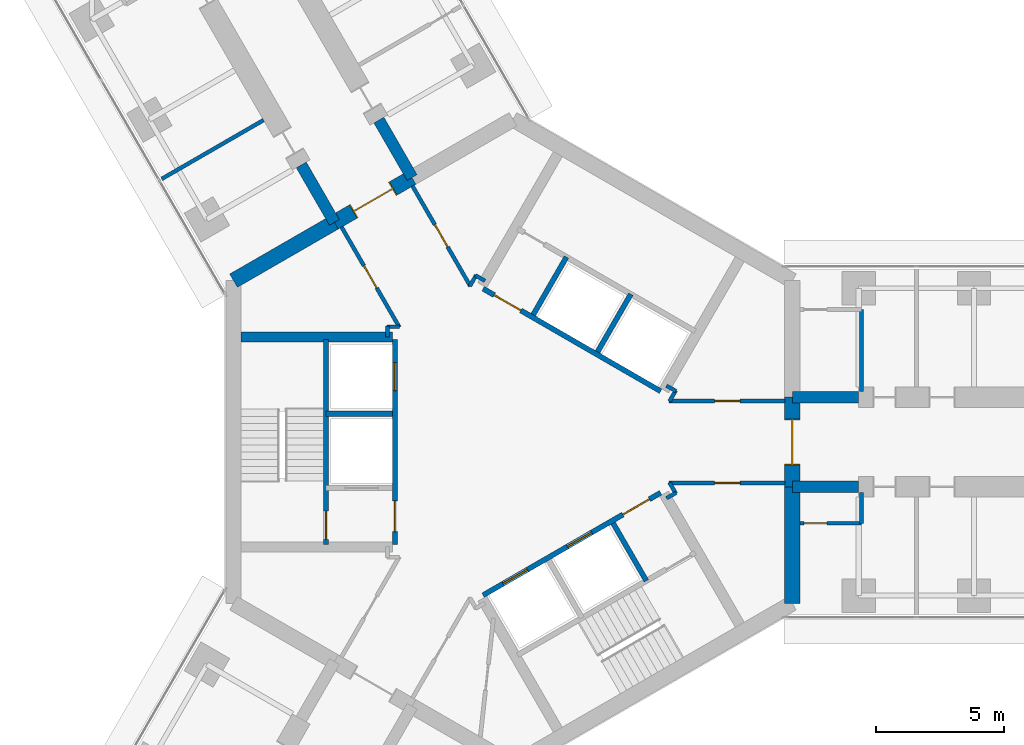
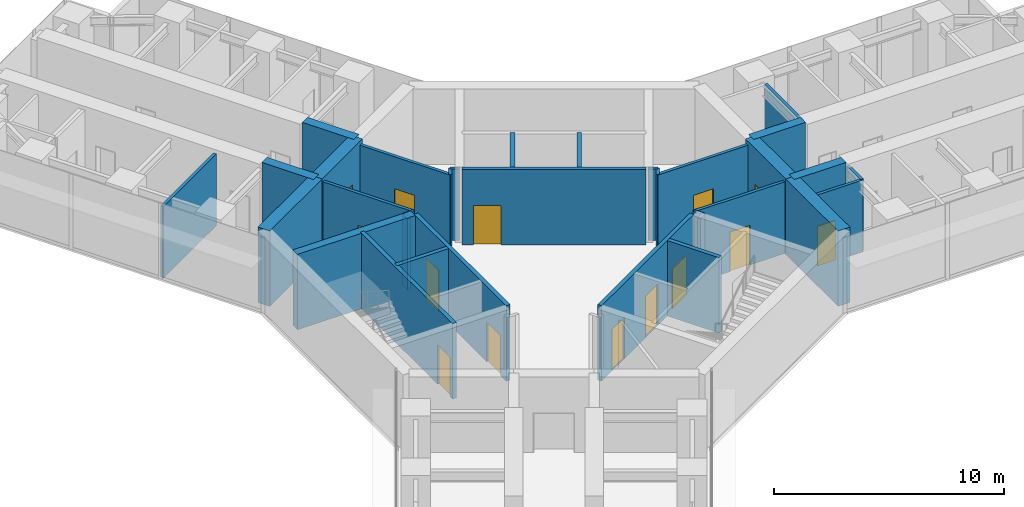
# One storey, part 16 of 22: 33 walls, 14 doors, 14 openings.
"""IFC4 building model written with IfcOpenShell, lengths in metres."""

from ifc_helpers import new_model, si_unit, direction, frame, frame_2d, origin, place, context, subcontext, project, spatial, rectangle, extrude, material, layer, layer_set, type_object, element, fill, save


model = new_model("IFC4")

# Units and contexts
model_context = context("Model", 3, precision=1e-05, world=origin(), true_north=direction((0.0, 1.0)))
body_context = subcontext(model_context, "Body", "Model", "MODEL_VIEW")
ifc_project = project(units=[si_unit("LENGTHUNIT", "METRE"), si_unit("AREAUNIT", "SQUARE_METRE"), si_unit("VOLUMEUNIT", "CUBIC_METRE"), si_unit("PLANEANGLEUNIT", "RADIAN"), si_unit("MASSUNIT", "GRAM", prefix="KILO")], contexts=[model_context])

# Site, building, storey
site_placement = place(None, origin())
site = spatial("IfcSite", under=ifc_project, at=site_placement, CompositionType="ELEMENT")
building_placement = place(site_placement, origin())
building = spatial("IfcBuilding", under=site, at=building_placement, Name="Upepo Twin Towers", CompositionType="ELEMENT")
storey_placement = place(building_placement, frame((0.0, 0.0, 121.5)))
storey = spatial("IfcBuildingStorey", under=building, at=storey_placement, Name="L29", CompositionType="ELEMENT", Elevation=121.5)

# Walls
ifc_material_1 = material(Name="Concrete C60/75", Category="concrete")
ifc_layer_1 = layer(ifc_material_1, 0.449951171875)
ifc_layer_set_1 = layer_set([ifc_layer_1], Name="Concrete C60/75")
wall_type_1 = type_object("IfcWallType", Name="Buttress wall 450 RC", PredefinedType="SHEAR", material=ifc_layer_set_1)
for number, where, z_axis, x_axis, name in (
    (1, (10.908447265625, 1.75, 0.0), (0.0, 0.0, 1.0), (1.0, 0.0, 0.0), "T1 wing A buttress wall L"),
    (2, (10.908447265625, -1.75, 0.0), (0.0, 0.0, 1.0), (1.0, 0.0, 0.0), "T1 wing A buttress wall R"),
):
    element("IfcWall", number, at=place(storey_placement, frame(where, z_axis=z_axis, x_axis=x_axis)), inside=storey, type_object=wall_type_1, Name=name, PredefinedType="SHEAR", context=body_context, shape_type="SweptSolid", body=[
        extrude(rectangle(XDim=2.591552734375, YDim=0.449951171875, at=frame_2d((1.2958984375, 0.0))), origin(), (0.0, 0.0, 1.0), 4.0),
    ])
for number, where, z_axis, x_axis, name in (
    (3, (-6.9697265625, 8.57177734375, 0.0), (0.0, 0.0, 1.0), (-0.499988811324, 0.866031863473, 0.0), "T1 wing B buttress wall L"),
    (4, (-3.938720703125, 10.32177734375, 0.0), (0.0, 0.0, 1.0), (-0.499918158782, 0.866072649678, 0.0), "T1 wing B buttress wall R"),
):
    element("IfcWall", number, at=place(storey_placement, frame(where, z_axis=z_axis, x_axis=x_axis)), inside=storey, type_object=wall_type_1, Name=name, PredefinedType="SHEAR", context=body_context, shape_type="SweptSolid", body=[
        extrude(rectangle(XDim=2.591796875, YDim=0.449951171875, at=frame_2d((1.2958984375, 0.0))), origin(), (0.0, 0.0, 1.0), 4.0),
    ])
ifc_material_2 = material(Name="Concrete C60/75", Category="concrete")
ifc_layer_2 = layer(ifc_material_2, 0.60009765625)
ifc_layer_set_2 = layer_set([ifc_layer_2], Name="Concrete C60/75")
wall_type_2 = type_object("IfcWallType", Name="Core wall 600 RC", PredefinedType="SHEAR", material=ifc_layer_set_2)
wall_1_placement = place(storey_placement, frame((10.908447265625, -6.2978515625, 0.0), z_axis=(0.0, 0.0, 1.0), x_axis=(0.0, 1.0, 0.0)))
element("IfcWall", 5, at=wall_1_placement, inside=storey, type_object=wall_type_2, Name="T1 core wall 000 R", PredefinedType="SHEAR", context=body_context, shape_type="SweptSolid", body=[
    extrude(rectangle(XDim=4.5478515625, YDim=0.60009765625, at=frame_2d((2.27392578125, 0.0))), origin(), (0.0, 0.0, 1.0), 4.0),
])

# Wall, opening, door
wall_2_placement = place(storey_placement, frame((10.908447265625, -1.75, 0.0), z_axis=(0.0, 0.0, 1.0), x_axis=(0.0, 1.0, 0.0)))
wall_2 = element("IfcWall", 6, at=wall_2_placement, inside=storey, type_object=wall_type_2, Name="T1 core wall 000", PredefinedType="SHEAR", context=body_context, shape_type="SweptSolid", body=[
    extrude(rectangle(XDim=3.5, YDim=0.60009765625, at=frame_2d((1.75, 0.0))), origin(), (0.0, 0.0, 1.0), 4.0),
])
opening_1_placement = place(wall_2_placement, frame((0.85009765625, 0.0, 0.0)))
opening_1 = element("IfcOpeningElement", 7, at=opening_1_placement, cuts=wall_2, Name="Opening D2", PredefinedType="OPENING", context=body_context, shape_type="SweptSolid", body=[
    extrude(rectangle(XDim=1.800048828125, YDim=2.10009765625, at=frame_2d((0.89990234375, 1.050048828125))), frame((0.0, 0.31005859375, 0.0), z_axis=(0.0, -1.0, 0.0), x_axis=(1.0, 0.0, 0.0)), (0.0, 0.0, 1.0), 0.6201171875),
])
ifc_material_3 = material(Name="Timber doorset", Category="wood")
door_type_1 = type_object("IfcDoorType", Name="Corridor double door 1800 FD60", OperationType="DOUBLE_DOOR_DOUBLE_SWING", PredefinedType="DOOR", material=ifc_material_3)
door_1_placement = place(opening_1_placement, origin())
door_1 = element("IfcDoor", 8, at=door_1_placement, inside=storey, type_object=door_type_1, Name="T1 L29 wing A corridor door", OperationType="DOUBLE_DOOR_DOUBLE_SWING", OverallHeight=2.10009765625, OverallWidth=1.800048828125, PredefinedType="DOOR", context=body_context, shape_type="SweptSolid", body=[
    extrude(rectangle(XDim=1.720048828125, YDim=2.06009765625, at=frame_2d((0.89990234375, 1.030029296875))), frame((0.0, 0.02490234375, 0.0), z_axis=(0.0, -1.0, 0.0), x_axis=(1.0, 0.0, 0.0)), (0.0, 0.0, 1.0), 0.050048828125),
    extrude(rectangle(XDim=0.04, YDim=2.10009765625, at=frame_2d((0.02001953125, 1.050048828125))), frame((0.0, 0.2998046875, 0.0), z_axis=(0.0, -1.0, 0.0), x_axis=(1.0, 0.0, 0.0)), (0.0, 0.0, 1.0), 0.599609375),
    extrude(rectangle(XDim=0.04, YDim=2.10009765625, at=frame_2d((1.780029296875, 1.050048828125))), frame((0.0, 0.2998046875, 0.0), z_axis=(0.0, -1.0, 0.0), x_axis=(1.0, 0.0, 0.0)), (0.0, 0.0, 1.0), 0.599609375),
    extrude(rectangle(XDim=1.720048828125, YDim=0.04, at=frame_2d((0.89990234375, 2.080078125))), frame((0.0, 0.2998046875, 0.0), z_axis=(0.0, -1.0, 0.0), x_axis=(1.0, 0.0, 0.0)), (0.0, 0.0, 1.0), 0.599609375),
])
fill(opening_1, door_1)

wall_3_placement = place(storey_placement, frame((-3.938720703125, 10.32177734375, 0.0), z_axis=(0.0, 0.0, 1.0), x_axis=(-0.866019471182, -0.500010275428, 0.0)))
wall_3 = element("IfcWall", 9, at=wall_3_placement, inside=storey, type_object=wall_type_2, Name="T1 core wall 120", PredefinedType="SHEAR", context=body_context, shape_type="SweptSolid", body=[
    extrude(rectangle(XDim=3.5, YDim=0.60009765625, at=frame_2d((1.75, 0.0))), origin(), (0.0, 0.0, 1.0), 4.0),
])
opening_2_placement = place(wall_3_placement, frame((0.85009765625, 0.0, 0.0)))
opening_2 = element("IfcOpeningElement", 10, at=opening_2_placement, cuts=wall_3, Name="Opening D2", PredefinedType="OPENING", context=body_context, shape_type="SweptSolid", body=[
    extrude(rectangle(XDim=1.800048828125, YDim=2.10009765625, at=frame_2d((0.89990234375, 1.050048828125))), frame((0.0, 0.31005859375, 0.0), z_axis=(0.0, -1.0, 0.0), x_axis=(1.0, 0.0, 0.0)), (0.0, 0.0, 1.0), 0.6201171875),
])
door_2_placement = place(opening_2_placement, origin())
door_2 = element("IfcDoor", 11, at=door_2_placement, inside=storey, type_object=door_type_1, Name="T1 L29 wing B corridor door", OperationType="DOUBLE_DOOR_DOUBLE_SWING", OverallHeight=2.10009765625, OverallWidth=1.800048828125, PredefinedType="DOOR", context=body_context, shape_type="SweptSolid", body=[
    extrude(rectangle(XDim=1.720048828125, YDim=2.06009765625, at=frame_2d((0.89990234375, 1.030029296875))), frame((0.0, 0.02490234375, 0.0), z_axis=(0.0, -1.0, 0.0), x_axis=(1.0, 0.0, 0.0)), (0.0, 0.0, 1.0), 0.050048828125),
    extrude(rectangle(XDim=0.04, YDim=2.10009765625, at=frame_2d((0.02001953125, 1.050048828125))), frame((0.0, 0.2998046875, 0.0), z_axis=(0.0, -1.0, 0.0), x_axis=(1.0, 0.0, 0.0)), (0.0, 0.0, 1.0), 0.599609375),
    extrude(rectangle(XDim=0.04, YDim=2.10009765625, at=frame_2d((1.780029296875, 1.050048828125))), frame((0.0, 0.2998046875, 0.0), z_axis=(0.0, -1.0, 0.0), x_axis=(1.0, 0.0, 0.0)), (0.0, 0.0, 1.0), 0.599609375),
    extrude(rectangle(XDim=1.720048828125, YDim=0.04, at=frame_2d((0.89990234375, 2.080078125))), frame((0.0, 0.2998046875, 0.0), z_axis=(0.0, -1.0, 0.0), x_axis=(1.0, 0.0, 0.0)), (0.0, 0.0, 1.0), 0.599609375),
])
fill(opening_2, door_2)

# Wall
wall_4_placement = place(storey_placement, frame((-6.9697265625, 8.57177734375, 0.0), z_axis=(0.0, 0.0, 1.0), x_axis=(-0.866034513004, -0.499984222037, 0.0)))
element("IfcWall", 12, at=wall_4_placement, inside=storey, type_object=wall_type_2, Name="T1 core wall 120 L", PredefinedType="SHEAR", context=body_context, shape_type="SweptSolid", body=[
    extrude(rectangle(XDim=4.548095703125, YDim=0.60009765625, at=frame_2d((2.27392578125, 0.0))), origin(), (0.0, 0.0, 1.0), 4.0),
])

# Wall, opening, door
ifc_material_4 = material(Name="Concrete C40/50", Category="concrete")
ifc_layer_3 = layer(ifc_material_4, 0.199951171875)
ifc_layer_set_3 = layer_set([ifc_layer_3], Name="Concrete C40/50")
wall_type_3 = type_object("IfcWallType", Name="Shaft wall 200 RC", PredefinedType="SHEAR", material=ifc_layer_set_3)
wall_5_placement = place(storey_placement, frame((5.76416015625, 1.983642578125, 0.0), z_axis=(0.0, 0.0, 1.0), x_axis=(-0.866026010844, 0.49999894854, 0.0)))
wall_5 = element("IfcWall", 13, at=wall_5_placement, inside=storey, type_object=wall_type_3, Name="T1 core W60 front wall", PredefinedType="SHEAR", context=body_context, shape_type="SweptSolid", body=[
    extrude(rectangle(XDim=8.0, YDim=0.199951171875, at=frame_2d((4.0, 0.0))), origin(), (0.0, 0.0, 1.0), 4.0),
])
opening_3_placement = place(wall_5_placement, frame((6.300048828125, 0.0, 0.0)))
opening_3 = element("IfcOpeningElement", 14, at=opening_3_placement, cuts=wall_5, Name="Opening D4", PredefinedType="OPENING", context=body_context, shape_type="SweptSolid", body=[
    extrude(rectangle(XDim=1.199951171875, YDim=2.10009765625, at=frame_2d((0.60009765625, 1.050048828125))), frame((0.0, 0.10986328125, 0.0), z_axis=(0.0, -1.0, 0.0), x_axis=(1.0, 0.0, 0.0)), (0.0, 0.0, 1.0), 0.219970703125),
])
ifc_material_5 = material(Name="Timber doorset", Category="wood")
door_type_2 = type_object("IfcDoorType", Name="Lobby door 1200 FD60", OperationType="SINGLE_SWING_LEFT", PredefinedType="DOOR", material=ifc_material_5)
door_3_placement = place(opening_3_placement, origin())
door_3 = element("IfcDoor", 15, at=door_3_placement, inside=storey, type_object=door_type_2, Name="T1 L29 W60 lobby door", OperationType="SINGLE_SWING_RIGHT", OverallHeight=2.10009765625, OverallWidth=1.199951171875, PredefinedType="DOOR", context=body_context, shape_type="SweptSolid", body=[
    extrude(rectangle(XDim=1.199951171875, YDim=2.10009765625, at=frame_2d((0.60009765625, 1.050048828125))), frame((0.0, 0.02490234375, 0.0), z_axis=(0.0, -1.0, 0.0), x_axis=(1.0, 0.0, 0.0)), (0.0, 0.0, 1.0), 0.050048828125),
])
fill(opening_3, door_3)

# Walls
for number, where, z_axis, x_axis, name in (
    (16, (3.302734375, 3.520263671875, 0.0), (0.0, 0.0, 1.0), (0.499936506574, 0.866062058628, 0.0), "T1 core W60 shaft divider"),
    (17, (0.791259765625, 4.97021484375, 0.0), (0.0, 0.0, 1.0), (0.499936506574, 0.866062058628, 0.0), "T1 core W60 lobby wall"),
):
    element("IfcWall", number, at=place(storey_placement, frame(where, z_axis=z_axis, x_axis=x_axis)), inside=storey, type_object=wall_type_3, Name=name, PredefinedType="SHEAR", context=body_context, shape_type="SweptSolid", body=[
        extrude(rectangle(XDim=2.599853515625, YDim=0.199951171875, at=frame_2d((1.2998046875, 0.0))), origin(), (0.0, 0.0, 1.0), 4.0),
    ])

# Wall, openings, doors
wall_6_placement = place(storey_placement, frame((-4.60009765625, 4.0, 0.0), z_axis=(0.0, 0.0, 1.0), x_axis=(0.0, -1.0, 0.0)))
wall_6 = element("IfcWall", 18, at=wall_6_placement, inside=storey, type_object=wall_type_3, Name="T1 core W180 front wall", PredefinedType="SHEAR", context=body_context, shape_type="SweptSolid", body=[
    extrude(rectangle(XDim=8.0, YDim=0.199951171875, at=frame_2d((4.0, 0.0))), origin(), (0.0, 0.0, 1.0), 4.0),
])
opening_4_placement = place(wall_6_placement, frame((6.300048828125, 0.0, 0.0)))
opening_4 = element("IfcOpeningElement", 19, at=opening_4_placement, cuts=wall_6, Name="Opening D4", PredefinedType="OPENING", context=body_context, shape_type="SweptSolid", body=[
    extrude(rectangle(XDim=1.199951171875, YDim=2.10009765625, at=frame_2d((0.60009765625, 1.050048828125))), frame((0.0, 0.10986328125, 0.0), z_axis=(0.0, -1.0, 0.0), x_axis=(1.0, 0.0, 0.0)), (0.0, 0.0, 1.0), 0.219970703125),
])
opening_5_placement = place(wall_6_placement, frame((0.89990234375, 0.0, 0.0)))
opening_5 = element("IfcOpeningElement", 20, at=opening_5_placement, cuts=wall_6, Name="Opening LD1", PredefinedType="OPENING", context=body_context, shape_type="SweptSolid", body=[
    extrude(rectangle(XDim=1.10009765625, YDim=2.199951171875, at=frame_2d((0.550048828125, 1.10009765625))), frame((0.0, 0.10986328125, 0.0), z_axis=(0.0, -1.0, 0.0), x_axis=(1.0, 0.0, 0.0)), (0.0, 0.0, 1.0), 0.219970703125),
])
ifc_material_6 = material(Name="Steel doorset", Category="steel")
door_type_3 = type_object("IfcDoorType", Name="Lift landing door 1100", OperationType="DOUBLE_DOOR_SLIDING", PredefinedType="DOOR", material=ifc_material_6)
door_4_placement = place(opening_5_placement, origin())
door_4 = element("IfcDoor", 21, at=door_4_placement, inside=storey, type_object=door_type_3, Name="T1 L29 lift SV1 landing door", OperationType="DOUBLE_DOOR_SLIDING", OverallHeight=2.199951171875, OverallWidth=1.10009765625, PredefinedType="DOOR", context=body_context, shape_type="SweptSolid", body=[
    extrude(rectangle(XDim=1.10009765625, YDim=2.199951171875, at=frame_2d((0.550048828125, 1.10009765625))), frame((0.0, 0.02490234375, 0.0), z_axis=(0.0, -1.0, 0.0), x_axis=(1.0, 0.0, 0.0)), (0.0, 0.0, 1.0), 0.050048828125),
])
fill(opening_5, door_4)
door_5_placement = place(opening_4_placement, origin())
door_5 = element("IfcDoor", 22, at=door_5_placement, inside=storey, type_object=door_type_2, Name="T1 L29 W180 lobby door", OperationType="SINGLE_SWING_RIGHT", OverallHeight=2.10009765625, OverallWidth=1.199951171875, PredefinedType="DOOR", context=body_context, shape_type="SweptSolid", body=[
    extrude(rectangle(XDim=1.199951171875, YDim=2.10009765625, at=frame_2d((0.60009765625, 1.050048828125))), frame((0.0, 0.02490234375, 0.0), z_axis=(0.0, -1.0, 0.0), x_axis=(1.0, 0.0, 0.0)), (0.0, 0.0, 1.0), 0.050048828125),
])
fill(opening_4, door_5)

# Wall
wall_7_placement = place(storey_placement, frame((-4.699951171875, 1.10009765625, 0.0), z_axis=(0.0, 0.0, 1.0), x_axis=(-1.0, 0.0, 0.0)))
element("IfcWall", 23, at=wall_7_placement, inside=storey, type_object=wall_type_3, Name="T1 core W180 shaft divider", PredefinedType="SHEAR", context=body_context, shape_type="SweptSolid", body=[
    extrude(rectangle(XDim=2.60009765625, YDim=0.199951171875, at=frame_2d((1.300048828125, 0.0))), origin(), (0.0, 0.0, 1.0), 4.0),
])

# Wall, opening, door
wall_8_placement = place(storey_placement, frame((-7.300048828125, 4.0, 0.0), z_axis=(0.0, 0.0, 1.0), x_axis=(0.0, -1.0, 0.0)))
wall_8 = element("IfcWall", 24, at=wall_8_placement, inside=storey, type_object=wall_type_3, Name="T1 core W180 stair wall", PredefinedType="SHEAR", context=body_context, shape_type="SweptSolid", body=[
    extrude(rectangle(XDim=8.0, YDim=0.199951171875, at=frame_2d((4.0, 0.0))), origin(), (0.0, 0.0, 1.0), 4.0),
])
opening_6_placement = place(wall_8_placement, frame((6.699951171875, 0.0, 0.0)))
opening_6 = element("IfcOpeningElement", 25, at=opening_6_placement, cuts=wall_8, Name="Opening D3", PredefinedType="OPENING", context=body_context, shape_type="SweptSolid", body=[
    extrude(rectangle(XDim=1.10009765625, YDim=2.10009765625, at=frame_2d((0.550048828125, 1.050048828125))), frame((0.0, 0.10986328125, 0.0), z_axis=(0.0, -1.0, 0.0), x_axis=(1.0, 0.0, 0.0)), (0.0, 0.0, 1.0), 0.219970703125),
])
ifc_material_7 = material(Name="Timber doorset", Category="wood")
door_type_4 = type_object("IfcDoorType", Name="Stair door 1100 FD60", OperationType="SINGLE_SWING_LEFT", PredefinedType="DOOR", material=ifc_material_7)
door_6_placement = place(opening_6_placement, origin())
door_6 = element("IfcDoor", 26, at=door_6_placement, inside=storey, type_object=door_type_4, Name="T1 L29 stair door", OperationType="SINGLE_SWING_RIGHT", OverallHeight=2.10009765625, OverallWidth=1.10009765625, PredefinedType="DOOR", context=body_context, shape_type="SweptSolid", body=[
    extrude(rectangle(XDim=1.10009765625, YDim=2.10009765625, at=frame_2d((0.550048828125, 1.050048828125))), frame((0.0, 0.02490234375, 0.0), z_axis=(0.0, -1.0, 0.0), x_axis=(1.0, 0.0, 0.0)), (0.0, 0.0, 1.0), 0.050048828125),
])
fill(opening_6, door_6)

# Wall, openings, doors
wall_9_placement = place(storey_placement, frame((-1.1640625, -5.983642578125, 0.0), z_axis=(0.0, 0.0, 1.0), x_axis=(0.866026010844, 0.49999894854, 0.0)))
wall_9 = element("IfcWall", 27, at=wall_9_placement, inside=storey, type_object=wall_type_3, Name="T1 core W300 front wall", PredefinedType="SHEAR", context=body_context, shape_type="SweptSolid", body=[
    extrude(rectangle(XDim=8.0, YDim=0.199951171875, at=frame_2d((4.0, 0.0))), origin(), (0.0, 0.0, 1.0), 4.0),
])
opening_7_placement = place(wall_9_placement, frame((6.300048828125, 0.0, 0.0)))
opening_7 = element("IfcOpeningElement", 28, at=opening_7_placement, cuts=wall_9, Name="Opening D4", PredefinedType="OPENING", context=body_context, shape_type="SweptSolid", body=[
    extrude(rectangle(XDim=1.199951171875, YDim=2.10009765625, at=frame_2d((0.60009765625, 1.050048828125))), frame((0.0, 0.10986328125, 0.0), z_axis=(0.0, -1.0, 0.0), x_axis=(1.0, 0.0, 0.0)), (0.0, 0.0, 1.0), 0.219970703125),
])
opening_8_placement = place(wall_9_placement, frame((0.89990234375, 0.0, 0.0)))
opening_8 = element("IfcOpeningElement", 29, at=opening_8_placement, cuts=wall_9, Name="Opening LD1", PredefinedType="OPENING", context=body_context, shape_type="SweptSolid", body=[
    extrude(rectangle(XDim=1.10009765625, YDim=2.199951171875, at=frame_2d((0.550048828125, 1.10009765625))), frame((0.0, 0.10986328125, 0.0), z_axis=(0.0, -1.0, 0.0), x_axis=(1.0, 0.0, 0.0)), (0.0, 0.0, 1.0), 0.219970703125),
])
opening_9_placement = place(wall_9_placement, frame((3.800048828125, 0.0, 0.0)))
opening_9 = element("IfcOpeningElement", 30, at=opening_9_placement, cuts=wall_9, Name="Opening LD1", PredefinedType="OPENING", context=body_context, shape_type="SweptSolid", body=[
    extrude(rectangle(XDim=1.10009765625, YDim=2.199951171875, at=frame_2d((0.550048828125, 1.10009765625))), frame((0.0, 0.10986328125, 0.0), z_axis=(0.0, -1.0, 0.0), x_axis=(1.0, 0.0, 0.0)), (0.0, 0.0, 1.0), 0.219970703125),
])
door_7_placement = place(opening_8_placement, origin())
door_7 = element("IfcDoor", 31, at=door_7_placement, inside=storey, type_object=door_type_3, Name="T1 L29 lift ML1 landing door", OperationType="DOUBLE_DOOR_SLIDING", OverallHeight=2.199951171875, OverallWidth=1.10009765625, PredefinedType="DOOR", context=body_context, shape_type="SweptSolid", body=[
    extrude(rectangle(XDim=1.10009765625, YDim=2.199951171875, at=frame_2d((0.550048828125, 1.10009765625))), frame((0.0, 0.02490234375, 0.0), z_axis=(0.0, -1.0, 0.0), x_axis=(1.0, 0.0, 0.0)), (0.0, 0.0, 1.0), 0.050048828125),
])
fill(opening_8, door_7)
door_8_placement = place(opening_9_placement, origin())
door_8 = element("IfcDoor", 32, at=door_8_placement, inside=storey, type_object=door_type_3, Name="T1 L29 lift ML2 landing door", OperationType="DOUBLE_DOOR_SLIDING", OverallHeight=2.199951171875, OverallWidth=1.10009765625, PredefinedType="DOOR", context=body_context, shape_type="SweptSolid", body=[
    extrude(rectangle(XDim=1.10009765625, YDim=2.199951171875, at=frame_2d((0.550048828125, 1.10009765625))), frame((0.0, 0.02490234375, 0.0), z_axis=(0.0, -1.0, 0.0), x_axis=(1.0, 0.0, 0.0)), (0.0, 0.0, 1.0), 0.050048828125),
])
fill(opening_9, door_8)
door_9_placement = place(opening_7_placement, origin())
door_9 = element("IfcDoor", 33, at=door_9_placement, inside=storey, type_object=door_type_2, Name="T1 L29 W300 lobby door", OperationType="SINGLE_SWING_RIGHT", OverallHeight=2.10009765625, OverallWidth=1.199951171875, PredefinedType="DOOR", context=body_context, shape_type="SweptSolid", body=[
    extrude(rectangle(XDim=1.199951171875, YDim=2.10009765625, at=frame_2d((0.60009765625, 1.050048828125))), frame((0.0, 0.02490234375, 0.0), z_axis=(0.0, -1.0, 0.0), x_axis=(1.0, 0.0, 0.0)), (0.0, 0.0, 1.0), 0.050048828125),
])
fill(opening_7, door_9)

# Walls
wall_10_placement = place(storey_placement, frame((3.908935546875, -3.17041015625, 0.0), z_axis=(0.0, 0.0, 1.0), x_axis=(0.49997716683, -0.86603858612, 0.0)))
element("IfcWall", 34, at=wall_10_placement, inside=storey, type_object=wall_type_3, Name="T1 core W300 lobby wall", PredefinedType="SHEAR", context=body_context, shape_type="SweptSolid", body=[
    extrude(rectangle(XDim=2.599609375, YDim=0.199951171875, at=frame_2d((1.2998046875, 0.0))), origin(), (0.0, 0.0, 1.0), 4.0),
])
ifc_material_8 = material(Name="Concrete C40/50", Category="concrete")
ifc_layer_4 = layer(ifc_material_8, 0.39990234375)
ifc_layer_set_4 = layer_set([ifc_layer_4], Name="Concrete C40/50")
wall_type_4 = type_object("IfcWallType", Name="Shaft wall 400 RC", PredefinedType="SHEAR", material=ifc_layer_set_4)
wall_11_placement = place(storey_placement, frame((-4.699951171875, 4.10009765625, 0.0), z_axis=(0.0, 0.0, 1.0), x_axis=(-1.0, 0.0, 0.0)))
element("IfcWall", 35, at=wall_11_placement, inside=storey, type_object=wall_type_4, Name="T1 core W180 side wall S", PredefinedType="SHEAR", context=body_context, shape_type="SweptSolid", body=[
    extrude(rectangle(XDim=5.908447265625, YDim=0.39990234375, at=frame_2d((2.9541015625, 0.0))), origin(), (0.0, 0.0, 1.0), 4.0),
])
ifc_material_9 = material(Name="Gypsum board on steel studs", Category="steel")
ifc_layer_5 = layer(ifc_material_9, 0.14990234375)
ifc_layer_set_5 = layer_set([ifc_layer_5], Name="Teaching partition 150 acoustic")
wall_type_5 = type_object("IfcWallType", Name="Teaching partition 150 acoustic", PredefinedType="PARTITIONING", material=ifc_layer_set_5)
wall_12_placement = place(storey_placement, frame((13.60791015625, 1.97509765625, 0.0), z_axis=(0.0, 0.0, 1.0), x_axis=(0.0, 1.0, 0.0)))
element("IfcWall", 36, at=wall_12_placement, inside=storey, type_object=wall_type_5, Name="T1 WC bay partition AL end at 13.61", PredefinedType="PARTITIONING", context=body_context, shape_type="SweptSolid", body=[
    extrude(rectangle(XDim=3.199951171875, YDim=0.14990234375, at=frame_2d((1.60009765625, 0.0))), origin(), (0.0, 0.0, 1.0), 3.800048828125),
])

# Wall, opening, door
wall_13_placement = place(storey_placement, frame((11.2080078125, -3.175048828125, 0.0), z_axis=(0.0, 0.0, 1.0), x_axis=(1.0, 0.0, 0.0)))
wall_13 = element("IfcWall", 37, at=wall_13_placement, inside=storey, type_object=wall_type_5, Name="T1 WC bay partition AR at 11.21", PredefinedType="PARTITIONING", context=body_context, shape_type="SweptSolid", body=[
    extrude(rectangle(XDim=2.39990234375, YDim=0.14990234375, at=frame_2d((1.199951171875, 0.0))), origin(), (0.0, 0.0, 1.0), 3.800048828125),
])
opening_10_placement = place(wall_13_placement, frame((0.14990234375, 0.0, 0.0)))
opening_10 = element("IfcOpeningElement", 38, at=opening_10_placement, cuts=wall_13, Name="Opening D14", PredefinedType="OPENING", context=body_context, shape_type="SweptSolid", body=[
    extrude(rectangle(XDim=0.89990234375, YDim=2.10009765625, at=frame_2d((0.449951171875, 1.050048828125))), frame((0.0, 0.0849609375, 0.0), z_axis=(0.0, -1.0, 0.0), x_axis=(1.0, 0.0, 0.0)), (0.0, 0.0, 1.0), 0.169921875),
])
ifc_material_10 = material(Name="Timber doorset", Category="wood")
door_type_5 = type_object("IfcDoorType", Name="Office door 900 FD30", OperationType="SINGLE_SWING_LEFT", PredefinedType="DOOR", material=ifc_material_10)
door_10_placement = place(opening_10_placement, origin())
door_10 = element("IfcDoor", 39, at=door_10_placement, inside=storey, type_object=door_type_5, Name="T1 L29 WC bay inner room door", OperationType="SINGLE_SWING_LEFT", OverallHeight=2.10009765625, OverallWidth=0.89990234375, PredefinedType="DOOR", context=body_context, shape_type="SweptSolid", body=[
    extrude(rectangle(XDim=0.89990234375, YDim=2.10009765625, at=frame_2d((0.449951171875, 1.050048828125))), frame((0.0, 0.02490234375, 0.0), z_axis=(0.0, -1.0, 0.0), x_axis=(1.0, 0.0, 0.0)), (0.0, 0.0, 1.0), 0.050048828125),
])
fill(opening_10, door_10)

# Walls
wall_14_placement = place(storey_placement, frame((13.60791015625, -1.97509765625, 0.0), z_axis=(0.0, 0.0, 1.0), x_axis=(0.0, -1.0, 0.0)))
element("IfcWall", 40, at=wall_14_placement, inside=storey, type_object=wall_type_5, Name="T1 WC bay partition AR end at 13.61", PredefinedType="PARTITIONING", context=body_context, shape_type="SweptSolid", body=[
    extrude(rectangle(XDim=1.199951171875, YDim=0.14990234375, at=frame_2d((0.60009765625, 0.0))), origin(), (0.0, 0.0, 1.0), 3.800048828125),
])
wall_15_placement = place(storey_placement, frame((-9.737060546875, 12.56494140625, 0.0), z_axis=(0.0, 0.0, 1.0), x_axis=(-0.866016770315, -0.500014953309, 0.0)))
element("IfcWall", 41, at=wall_15_placement, inside=storey, type_object=wall_type_5, Name="T1 partition BL at 15.75", PredefinedType="PARTITIONING", context=body_context, shape_type="SweptSolid", body=[
    extrude(rectangle(XDim=4.599853515625, YDim=0.14990234375, at=frame_2d((2.2998046875, 0.0))), origin(), (0.0, 0.0, 1.0), 3.800048828125),
])
for number, where, z_axis, x_axis, name in (
    (42, (6.364501953125, -1.9833984375, 0.0), (0.0, 0.0, 1.0), (-0.865892400268, -0.500230298122, 0.0), "T1 core room partition 1"),
    (43, (-4.89990234375, 4.090087890625, 0.0), (0.0, 0.0, 1.0), (0.0, 1.0, 0.0), "T1 core room partition 8"),
):
    element("IfcWall", number, at=place(storey_placement, frame(where, z_axis=z_axis, x_axis=x_axis)), inside=storey, type_object=wall_type_5, Name=name, PredefinedType="PARTITIONING", context=body_context, shape_type="SweptSolid", body=[
        extrude(rectangle(XDim=0.429931640625, YDim=0.14990234375, at=frame_2d((0.21484375, 0.0))), origin(), (0.0, 0.0, 1.0), 3.800048828125),
    ])
wall_16_placement = place(storey_placement, frame((-4.919921875, 4.5, 0.0), z_axis=(0.0, 0.0, 1.0), x_axis=(1.0, 0.0, 0.0)))
element("IfcWall", 44, at=wall_16_placement, inside=storey, type_object=wall_type_5, Name="T1 core room partition 9", PredefinedType="PARTITIONING", context=body_context, shape_type="SweptSolid", body=[
    extrude(rectangle(XDim=0.494384765625, YDim=0.14990234375, at=frame_2d((0.2470703125, 0.0))), origin(), (0.0, 0.0, 1.0), 3.800048828125),
])

# Wall, opening, door
wall_17_placement = place(storey_placement, frame((-4.435546875, 4.482666015625, 0.0), z_axis=(0.0, 0.0, 1.0), x_axis=(-0.500009315796, 0.86602002524, 0.0)))
wall_17 = element("IfcWall", 45, at=wall_17_placement, inside=storey, type_object=wall_type_5, Name="T1 core room partition 10", PredefinedType="PARTITIONING", context=body_context, shape_type="SweptSolid", body=[
    extrude(rectangle(XDim=4.5185546875, YDim=0.14990234375, at=frame_2d((2.25927734375, 0.0))), origin(), (0.0, 0.0, 1.0), 3.800048828125),
])
opening_11_placement = place(wall_17_placement, frame((1.769287109375, 0.0, 0.0)))
opening_11 = element("IfcOpeningElement", 46, at=opening_11_placement, cuts=wall_17, Name="Opening D1", PredefinedType="OPENING", context=body_context, shape_type="SweptSolid", body=[
    extrude(rectangle(XDim=1.0, YDim=2.10009765625, at=frame_2d((0.5, 1.050048828125))), frame((0.0, 0.0849609375, 0.0), z_axis=(0.0, -1.0, 0.0), x_axis=(1.0, 0.0, 0.0)), (0.0, 0.0, 1.0), 0.169921875),
])
ifc_material_11 = material(Name="Timber doorset", Category="wood")
door_type_6 = type_object("IfcDoorType", Name="Room door 1000 FD30", OperationType="SINGLE_SWING_LEFT", PredefinedType="DOOR", material=ifc_material_11)
door_11_placement = place(opening_11_placement, origin())
door_11 = element("IfcDoor", 47, at=door_11_placement, inside=storey, type_object=door_type_6, Name="T1 L29 core room door K7", OperationType="SINGLE_SWING_RIGHT", OverallHeight=2.10009765625, OverallWidth=1.0, PredefinedType="DOOR", context=body_context, shape_type="SweptSolid", body=[
    extrude(rectangle(XDim=1.0, YDim=2.10009765625, at=frame_2d((0.5, 1.050048828125))), frame((0.0, 0.02490234375, 0.0), z_axis=(0.0, -1.0, 0.0), x_axis=(1.0, 0.0, 0.0)), (0.0, 0.0, 1.0), 0.050048828125),
])
fill(opening_11, door_11)

wall_18_placement = place(storey_placement, frame((-3.923583984375, 9.99560546875, 0.0), z_axis=(0.0, 0.0, 1.0), x_axis=(0.500032713409, -0.866006515865, 0.0)))
wall_18 = element("IfcWall", 48, at=wall_18_placement, inside=storey, type_object=wall_type_5, Name="T1 core room partition 11", PredefinedType="PARTITIONING", context=body_context, shape_type="SweptSolid", body=[
    extrude(rectangle(XDim=4.518310546875, YDim=0.14990234375, at=frame_2d((2.25927734375, 0.0))), origin(), (0.0, 0.0, 1.0), 3.800048828125),
])
opening_12_placement = place(wall_18_placement, frame((1.7490234375, 0.0, 0.0)))
opening_12 = element("IfcOpeningElement", 49, at=opening_12_placement, cuts=wall_18, Name="Opening D1", PredefinedType="OPENING", context=body_context, shape_type="SweptSolid", body=[
    extrude(rectangle(XDim=1.0, YDim=2.10009765625, at=frame_2d((0.5, 1.050048828125))), frame((0.0, 0.0849609375, 0.0), z_axis=(0.0, -1.0, 0.0), x_axis=(1.0, 0.0, 0.0)), (0.0, 0.0, 1.0), 0.169921875),
])
door_12_placement = place(opening_12_placement, origin())
door_12 = element("IfcDoor", 50, at=door_12_placement, inside=storey, type_object=door_type_6, Name="T1 L29 core room door K6", OperationType="SINGLE_SWING_LEFT", OverallHeight=2.10009765625, OverallWidth=1.0, PredefinedType="DOOR", context=body_context, shape_type="SweptSolid", body=[
    extrude(rectangle(XDim=1.0, YDim=2.10009765625, at=frame_2d((0.5, 1.050048828125))), frame((0.0, 0.02490234375, 0.0), z_axis=(0.0, -1.0, 0.0), x_axis=(1.0, 0.0, 0.0)), (0.0, 0.0, 1.0), 0.050048828125),
])
fill(opening_12, door_12)

# Walls
wall_19_placement = place(storey_placement, frame((-1.684326171875, 6.082763671875, 0.0), z_axis=(0.0, 0.0, 1.0), x_axis=(0.50033519877, 0.865831790172, 0.0)))
element("IfcWall", 51, at=wall_19_placement, inside=storey, type_object=wall_type_5, Name="T1 core room partition 12", PredefinedType="PARTITIONING", context=body_context, shape_type="SweptSolid", body=[
    extrude(rectangle(XDim=0.494384765625, YDim=0.14990234375, at=frame_2d((0.2470703125, 0.0))), origin(), (0.0, 0.0, 1.0), 3.800048828125),
])
for number, where, z_axis, x_axis, name in (
    (52, (-1.46435546875, 6.50341796875, 0.0), (0.0, 0.0, 1.0), (0.866138304741, -0.499804398801, 0.0), "T1 core room partition 13"),
    (53, (5.9921875, 2.198486328125, 0.0), (0.0, 0.0, 1.0), (0.865892400268, -0.500230298122, 0.0), "T1 core room partition 14"),
):
    element("IfcWall", number, at=place(storey_placement, frame(where, z_axis=z_axis, x_axis=x_axis)), inside=storey, type_object=wall_type_5, Name=name, PredefinedType="PARTITIONING", context=body_context, shape_type="SweptSolid", body=[
        extrude(rectangle(XDim=0.429931640625, YDim=0.14990234375, at=frame_2d((0.21484375, 0.0))), origin(), (0.0, 0.0, 1.0), 3.800048828125),
    ])
wall_20_placement = place(storey_placement, frame((6.357177734375, 2.0107421875, 0.0), z_axis=(0.0, 0.0, 1.0), x_axis=(-0.50033519877, -0.865831790172, 0.0)))
element("IfcWall", 54, at=wall_20_placement, inside=storey, type_object=wall_type_5, Name="T1 core room partition 15", PredefinedType="PARTITIONING", context=body_context, shape_type="SweptSolid", body=[
    extrude(rectangle(XDim=0.494384765625, YDim=0.14990234375, at=frame_2d((0.2470703125, 0.0))), origin(), (0.0, 0.0, 1.0), 3.800048828125),
])

# Wall, opening, door
wall_21_placement = place(storey_placement, frame((6.099853515625, 1.60009765625, 0.0), z_axis=(0.0, 0.0, 1.0), x_axis=(1.0, 0.0, 0.0)))
wall_21 = element("IfcWall", 55, at=wall_21_placement, inside=storey, type_object=wall_type_5, Name="T1 core room partition 16", PredefinedType="PARTITIONING", context=body_context, shape_type="SweptSolid", body=[
    extrude(rectangle(XDim=4.5185546875, YDim=0.14990234375, at=frame_2d((2.25927734375, 0.0))), origin(), (0.0, 0.0, 1.0), 3.800048828125),
])
opening_13_placement = place(wall_21_placement, frame((1.769287109375, 0.0, 0.0)))
opening_13 = element("IfcOpeningElement", 56, at=opening_13_placement, cuts=wall_21, Name="Opening D1", PredefinedType="OPENING", context=body_context, shape_type="SweptSolid", body=[
    extrude(rectangle(XDim=1.0, YDim=2.10009765625, at=frame_2d((0.5, 1.050048828125))), frame((0.0, 0.0849609375, 0.0), z_axis=(0.0, -1.0, 0.0), x_axis=(1.0, 0.0, 0.0)), (0.0, 0.0, 1.0), 0.169921875),
])
door_13_placement = place(opening_13_placement, origin())
door_13 = element("IfcDoor", 57, at=door_13_placement, inside=storey, type_object=door_type_6, Name="T1 L29 core room door K5", OperationType="SINGLE_SWING_RIGHT", OverallHeight=2.10009765625, OverallWidth=1.0, PredefinedType="DOOR", context=body_context, shape_type="SweptSolid", body=[
    extrude(rectangle(XDim=1.0, YDim=2.10009765625, at=frame_2d((0.5, 1.050048828125))), frame((0.0, 0.02490234375, 0.0), z_axis=(0.0, -1.0, 0.0), x_axis=(1.0, 0.0, 0.0)), (0.0, 0.0, 1.0), 0.050048828125),
])
fill(opening_13, door_13)

wall_22_placement = place(storey_placement, frame((10.618408203125, -1.60009765625, 0.0), z_axis=(0.0, 0.0, 1.0), x_axis=(-1.0, 0.0, 0.0)))
wall_22 = element("IfcWall", 58, at=wall_22_placement, inside=storey, type_object=wall_type_5, Name="T1 core room partition 17", PredefinedType="PARTITIONING", context=body_context, shape_type="SweptSolid", body=[
    extrude(rectangle(XDim=4.5185546875, YDim=0.14990234375, at=frame_2d((2.25927734375, 0.0))), origin(), (0.0, 0.0, 1.0), 3.800048828125),
])
opening_14_placement = place(wall_22_placement, frame((1.7490234375, 0.0, 0.0)))
opening_14 = element("IfcOpeningElement", 59, at=opening_14_placement, cuts=wall_22, Name="Opening D1", PredefinedType="OPENING", context=body_context, shape_type="SweptSolid", body=[
    extrude(rectangle(XDim=1.0, YDim=2.10009765625, at=frame_2d((0.5, 1.050048828125))), frame((0.0, 0.0849609375, 0.0), z_axis=(0.0, -1.0, 0.0), x_axis=(1.0, 0.0, 0.0)), (0.0, 0.0, 1.0), 0.169921875),
])
door_14_placement = place(opening_14_placement, origin())
door_14 = element("IfcDoor", 60, at=door_14_placement, inside=storey, type_object=door_type_6, Name="T1 L29 core room door K4", OperationType="SINGLE_SWING_LEFT", OverallHeight=2.10009765625, OverallWidth=1.0, PredefinedType="DOOR", context=body_context, shape_type="SweptSolid", body=[
    extrude(rectangle(XDim=1.0, YDim=2.10009765625, at=frame_2d((0.5, 1.050048828125))), frame((0.0, 0.02490234375, 0.0), z_axis=(0.0, -1.0, 0.0), x_axis=(1.0, 0.0, 0.0)), (0.0, 0.0, 1.0), 0.050048828125),
])
fill(opening_14, door_14)

# Wall
wall_23_placement = place(storey_placement, frame((6.10986328125, -1.582763671875, 0.0), z_axis=(0.0, 0.0, 1.0), x_axis=(0.50033519877, -0.865831790172, 0.0)))
element("IfcWall", 61, at=wall_23_placement, inside=storey, type_object=wall_type_5, Name="T1 core room partition 18", PredefinedType="PARTITIONING", context=body_context, shape_type="SweptSolid", body=[
    extrude(rectangle(XDim=0.494384765625, YDim=0.14990234375, at=frame_2d((0.2470703125, 0.0))), origin(), (0.0, 0.0, 1.0), 3.800048828125),
])

save(model, "model.ifc")
